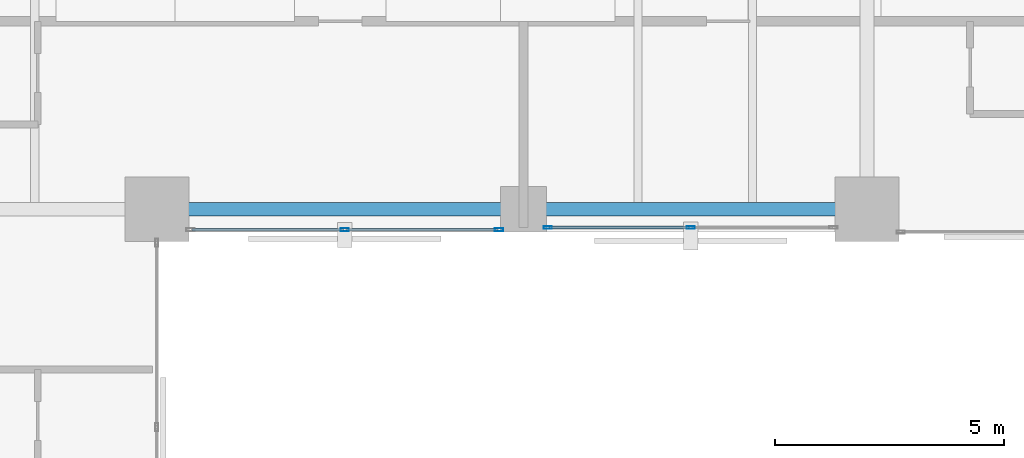
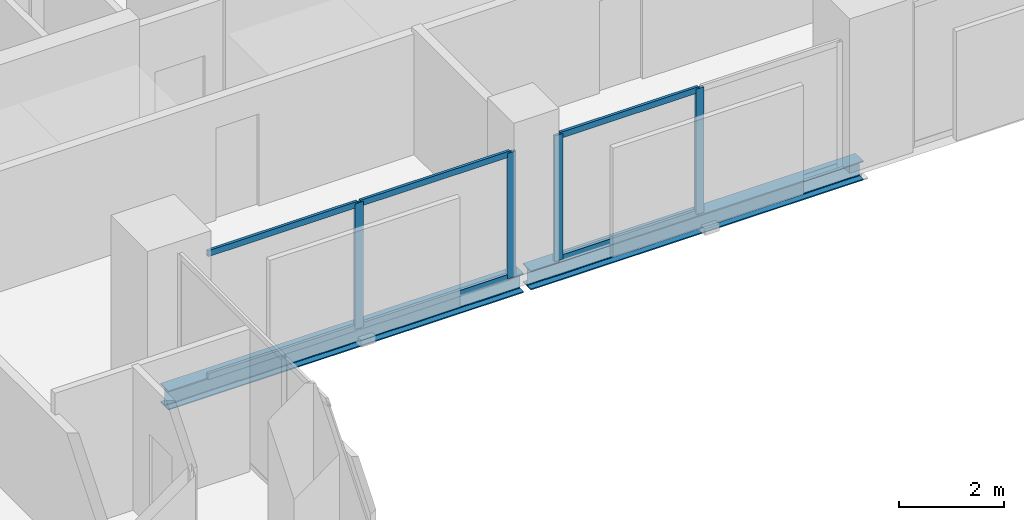
# One storey, part 13 of 31: 10 members, 2 beams, 2 elements without a shape of their own.
"""IFC4 building model written with IfcOpenShell, lengths in metres."""

from ifc_helpers import new_model, si_unit, direction, frame, origin, origin_2d, place, context, subcontext, project, spatial, hollow_rectangle, i_section, extrude, material, layer, layer_set, material_profile, profile_set, type_object, element, aggregate, save


model = new_model("IFC4")

# Units and contexts
model_context = context("Model", 3, precision=1e-05, world=origin(), true_north=direction((0.0, 1.0)))
body_context = subcontext(model_context, "Body", "Model", "MODEL_VIEW")
ifc_project = project(units=[si_unit("LENGTHUNIT", "METRE"), si_unit("AREAUNIT", "SQUARE_METRE"), si_unit("VOLUMEUNIT", "CUBIC_METRE"), si_unit("PLANEANGLEUNIT", "RADIAN"), si_unit("MASSUNIT", "GRAM", prefix="KILO")], contexts=[model_context])

# Site, building, storey
site_placement = place(None, origin())
site = spatial("IfcSite", under=ifc_project, at=site_placement, CompositionType="ELEMENT")
building_placement = place(site_placement, origin())
building = spatial("IfcBuilding", under=site, at=building_placement, Name="Catumbela Crestline Tower", CompositionType="ELEMENT")
storey_placement = place(building_placement, frame((0.0, 0.0, 36.6)))
storey = spatial("IfcBuildingStorey", under=building, at=storey_placement, Name="L08", CompositionType="ELEMENT", Elevation=36.6)

# Curtain wall, members
ifc_material_1 = material(Name="Aluminium alloy AW-6060-T66", Category="aluminium")
ifc_layer = layer(ifc_material_1, 0.18, Name="Aluminium alloy AW-6060-T66")
ifc_layer_set = layer_set([ifc_layer], Name="Aluminium alloy AW-6060-T66")
curtain_wall_type = type_object("IfcCurtainWallType", Name="CWU-Z1", PredefinedType="USERDEFINED", material=ifc_layer_set)
curtain_wall_1_placement = place(storey_placement, origin())
curtain_wall_1 = element("IfcCurtainWall", 1, at=curtain_wall_1_placement, inside=storey, type_object=curtain_wall_type, Name="L08 Unitised Curtain Wall CW-L08-E3S1", ObjectType="UNITISED", PredefinedType="USERDEFINED")
ifc_material_profile_1 = material_profile(ifc_material_1, hollow_rectangle(XDim=0.065, YDim=0.18, WallThickness=0.004, at=origin_2d()), Name="ALU 180x65x4")
ifc_profile_set_1 = profile_set([ifc_material_profile_1], Name="Aluminium alloy AW-6060-T66")
member_type_1 = type_object("IfcMemberType", Name="MUL-180X65", PredefinedType="MULLION", material=ifc_profile_set_1)
member_1_placement = place(storey_placement, frame((28.1, 24.05, 0.0), z_axis=(0.0, 0.0, 1.0), x_axis=(0.0, 1.0, 0.0)))
member_1 = element("IfcMember", 2, at=member_1_placement, type_object=member_type_1, Name="CWU-Z1 mullion 2", PredefinedType="MULLION", context=body_context, shape_type="SweptSolid", body=[
    extrude(hollow_rectangle(XDim=0.065, YDim=0.18, WallThickness=0.004, at=origin_2d()), origin(), (0.0, 0.0, 1.0), 2.93),
])
member_2_placement = place(storey_placement, frame((31.4675, 24.05, 0.0), z_axis=(0.0, 0.0, 1.0), x_axis=(0.0, 1.0, 0.0)))
member_2 = element("IfcMember", 3, at=member_2_placement, type_object=member_type_1, Name="CWU-Z1 mullion 3", PredefinedType="MULLION", context=body_context, shape_type="SweptSolid", body=[
    extrude(hollow_rectangle(XDim=0.065, YDim=0.18, WallThickness=0.004, at=origin_2d()), origin(), (0.0, 0.0, 1.0), 2.93),
])

curtain_wall_2_placement = place(storey_placement, origin())
curtain_wall_2 = element("IfcCurtainWall", 4, at=curtain_wall_2_placement, inside=storey, type_object=curtain_wall_type, Name="L08 Unitised Curtain Wall CW-L08-E3S2", ObjectType="UNITISED", PredefinedType="USERDEFINED")
member_3_placement = place(storey_placement, frame((32.5325, 24.1, 0.0), z_axis=(0.0, 0.0, 1.0), x_axis=(0.0, 1.0, 0.0)))
member_3 = element("IfcMember", 5, at=member_3_placement, type_object=member_type_1, Name="CWU-Z1 mullion 1", PredefinedType="MULLION", context=body_context, shape_type="SweptSolid", body=[
    extrude(hollow_rectangle(XDim=0.065, YDim=0.18, WallThickness=0.004, at=origin_2d()), origin(), (0.0, 0.0, 1.0), 2.93),
])
member_4_placement = place(storey_placement, frame((35.65, 24.1, 0.0), z_axis=(0.0, 0.0, 1.0), x_axis=(0.0, 1.0, 0.0)))
member_4 = element("IfcMember", 6, at=member_4_placement, type_object=member_type_1, Name="CWU-Z1 mullion 2", PredefinedType="MULLION", context=body_context, shape_type="SweptSolid", body=[
    extrude(hollow_rectangle(XDim=0.065, YDim=0.18, WallThickness=0.004, at=origin_2d()), origin(), (0.0, 0.0, 1.0), 2.93),
])

# Beams
ifc_material_2 = material(Name="Structural steel S355J2", Category="steel")
ifc_material_profile_2 = material_profile(ifc_material_2, i_section(OverallWidth=0.3, OverallDepth=0.45, WebThickness=0.014, FlangeThickness=0.026, FilletRadius=0.027, at=origin_2d()), Name="HEB 450")
ifc_profile_set_2 = profile_set([ifc_material_profile_2], Name="Structural steel S355J2")
beam_type = type_object("IfcBeamType", Name="BS-HEB450", PredefinedType="SPANDREL", material=ifc_profile_set_2)
beam_1_placement = place(storey_placement, frame((24.08, 24.5, -0.485), z_axis=(1.0, 0.0, 0.0), x_axis=(0.0, 1.0, 0.0)))
element("IfcBeam", 7, at=beam_1_placement, inside=storey, type_object=beam_type, Name="L08 Spandrel SP-L08-S05", PredefinedType="SPANDREL", context=body_context, shape_type="SweptSolid", body=[
    extrude(i_section(OverallWidth=0.3, OverallDepth=0.45, WebThickness=0.014, FlangeThickness=0.026, FilletRadius=0.027, at=origin_2d()), origin(), (0.0, 0.0, 1.0), 7.84),
])
beam_2_placement = place(storey_placement, frame((32.08, 24.5, -0.485), z_axis=(1.0, 0.0, 0.0), x_axis=(0.0, 1.0, 0.0)))
element("IfcBeam", 8, at=beam_2_placement, inside=storey, type_object=beam_type, Name="L08 Spandrel SP-L08-S06", PredefinedType="SPANDREL", context=body_context, shape_type="SweptSolid", body=[
    extrude(i_section(OverallWidth=0.3, OverallDepth=0.45, WebThickness=0.014, FlangeThickness=0.026, FilletRadius=0.027, at=origin_2d()), origin(), (0.0, 0.0, 1.0), 7.34),
])

# Member
ifc_material_profile_3 = material_profile(ifc_material_1, hollow_rectangle(XDim=0.06, YDim=0.14, WallThickness=0.004, at=origin_2d()), Name="ALU 140x60x4")
ifc_profile_set_3 = profile_set([ifc_material_profile_3], Name="Aluminium alloy AW-6060-T66")
member_type_2 = type_object("IfcMemberType", Name="TRN-140X60", PredefinedType="USERDEFINED", material=ifc_profile_set_3)
member_5_placement = place(storey_placement, frame((24.765, 24.05, 0.03), z_axis=(1.0, 0.0, 0.0), x_axis=(0.0, 1.0, 0.0)))
member_5 = element("IfcMember", 9, at=member_5_placement, type_object=member_type_2, Name="CWU-Z1 transom 1.1", ObjectType="TRANSOM", PredefinedType="USERDEFINED", context=body_context, shape_type="SweptSolid", body=[
    extrude(hollow_rectangle(XDim=0.06, YDim=0.14, WallThickness=0.004, at=origin_2d()), origin(), (0.0, 0.0, 1.0), 3.3025),
])

member_6_placement = place(storey_placement, frame((24.765, 24.05, 2.9), z_axis=(1.0, 0.0, 0.0), x_axis=(0.0, 1.0, 0.0)))
member_6 = element("IfcMember", 10, at=member_6_placement, type_object=member_type_2, Name="CWU-Z1 transom 1.2", ObjectType="TRANSOM", PredefinedType="USERDEFINED", context=body_context, shape_type="SweptSolid", body=[
    extrude(hollow_rectangle(XDim=0.06, YDim=0.14, WallThickness=0.004, at=origin_2d()), origin(), (0.0, 0.0, 1.0), 3.3025),
])

member_7_placement = place(storey_placement, frame((28.1325, 24.05, 0.03), z_axis=(1.0, 0.0, 0.0), x_axis=(0.0, 1.0, 0.0)))
member_7 = element("IfcMember", 11, at=member_7_placement, type_object=member_type_2, Name="CWU-Z1 transom 2.1", ObjectType="TRANSOM", PredefinedType="USERDEFINED", context=body_context, shape_type="SweptSolid", body=[
    extrude(hollow_rectangle(XDim=0.06, YDim=0.14, WallThickness=0.004, at=origin_2d()), origin(), (0.0, 0.0, 1.0), 3.3025),
])

member_8_placement = place(storey_placement, frame((28.1325, 24.05, 2.9), z_axis=(1.0, 0.0, 0.0), x_axis=(0.0, 1.0, 0.0)))
member_8 = element("IfcMember", 12, at=member_8_placement, type_object=member_type_2, Name="CWU-Z1 transom 2.2", ObjectType="TRANSOM", PredefinedType="USERDEFINED", context=body_context, shape_type="SweptSolid", body=[
    extrude(hollow_rectangle(XDim=0.06, YDim=0.14, WallThickness=0.004, at=origin_2d()), origin(), (0.0, 0.0, 1.0), 3.3025),
])

aggregate(curtain_wall_1, [member_1, member_2, member_5, member_6, member_7, member_8])

member_9_placement = place(storey_placement, frame((32.565, 24.1, 0.03), z_axis=(1.0, 0.0, 0.0), x_axis=(0.0, 1.0, 0.0)))
member_9 = element("IfcMember", 13, at=member_9_placement, type_object=member_type_2, Name="CWU-Z1 transom 1.1", ObjectType="TRANSOM", PredefinedType="USERDEFINED", context=body_context, shape_type="SweptSolid", body=[
    extrude(hollow_rectangle(XDim=0.06, YDim=0.14, WallThickness=0.004, at=origin_2d()), origin(), (0.0, 0.0, 1.0), 3.0525),
])

member_10_placement = place(storey_placement, frame((32.565, 24.1, 2.9), z_axis=(1.0, 0.0, 0.0), x_axis=(0.0, 1.0, 0.0)))
member_10 = element("IfcMember", 14, at=member_10_placement, type_object=member_type_2, Name="CWU-Z1 transom 1.2", ObjectType="TRANSOM", PredefinedType="USERDEFINED", context=body_context, shape_type="SweptSolid", body=[
    extrude(hollow_rectangle(XDim=0.06, YDim=0.14, WallThickness=0.004, at=origin_2d()), origin(), (0.0, 0.0, 1.0), 3.0525),
])

aggregate(curtain_wall_2, [member_3, member_4, member_9, member_10])

save(model, "model.ifc")
